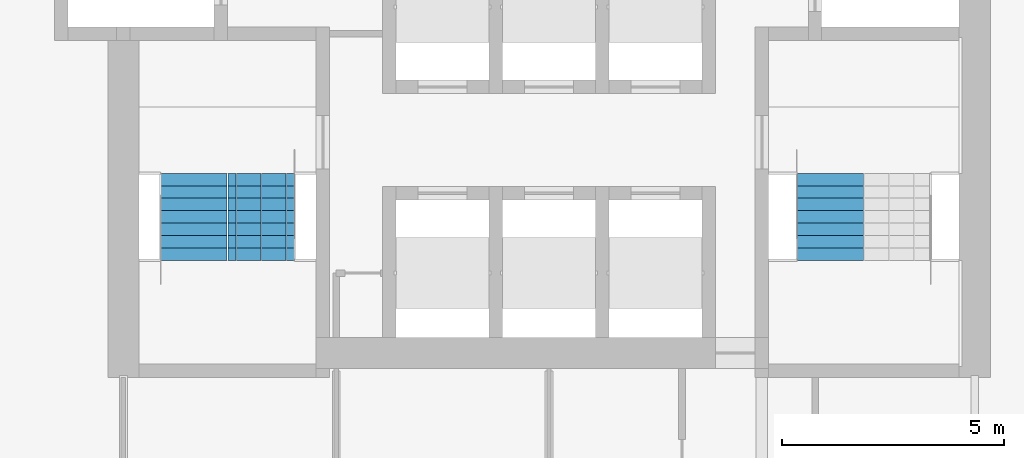
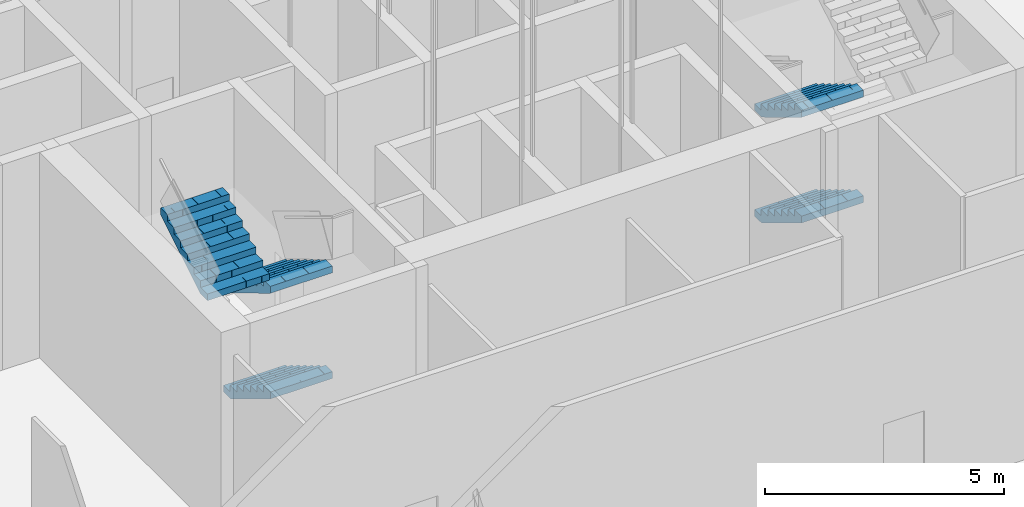
# One storey, part 12 of 42: 5 stair flights, 2 elements without a shape of their own.
"""IFC4 building model written with IfcOpenShell, lengths in metres."""

from ifc_helpers import new_model, si_unit, direction, frame, origin, place, context, subcontext, project, spatial, polyline, outline, extrude, material, type_object, element, aggregate, save


model = new_model("IFC4")

# Units and contexts
model_context = context("Model", 3, precision=1e-05, world=origin(), true_north=direction((0.0, 1.0)))
body_context = subcontext(model_context, "Body", "Model", "MODEL_VIEW")
ifc_project = project(units=[si_unit("LENGTHUNIT", "METRE"), si_unit("AREAUNIT", "SQUARE_METRE"), si_unit("VOLUMEUNIT", "CUBIC_METRE"), si_unit("PLANEANGLEUNIT", "RADIAN"), si_unit("MASSUNIT", "GRAM", prefix="KILO")], contexts=[model_context])

# Site, building, storey
site_placement = place(None, origin())
site = spatial("IfcSite", under=ifc_project, at=site_placement, CompositionType="ELEMENT")
building_placement = place(site_placement, origin())
building = spatial("IfcBuilding", under=site, at=building_placement, Name="Kolab Exchange Tower", CompositionType="ELEMENT")
storey_placement = place(building_placement, frame((0.0, 0.0, 133.39990234375)))
storey = spatial("IfcBuildingStorey", under=building, at=storey_placement, Name="L26", CompositionType="ELEMENT", Elevation=133.39990234375)

# Stair, stair flights
ifc_material = material(Name="Concrete C50/60", Category="concrete")
stair_type_1 = type_object("IfcStairType", Name="STAIR ST3 RISER 168.8", PredefinedType="DOUBLE_RETURN_STAIR", material=ifc_material)
stair_1_placement = place(storey_placement, origin())
stair_1 = element("IfcStair", 1, at=stair_1_placement, inside=storey, type_object=stair_type_1, Name="Stair 3", PredefinedType="DOUBLE_RETURN_STAIR")
stair_flight_type = type_object("IfcStairFlightType", Name="STAIR FLIGHT 1500 RISER 168.8", PredefinedType="STRAIGHT", material=ifc_material)
stair_flight_1_placement = place(storey_placement, frame((-6.489990234375, -5.550048828125, 0.0), z_axis=(0.0, 0.0, 1.0), x_axis=(0.0, -1.0, 0.0)))
stair_flight_1 = element("IfcStairFlight", 2, at=stair_flight_1_placement, type_object=stair_flight_type, Name="ST3 flight 1", NumberOfRisers=8, NumberOfTreads=7, PredefinedType="STRAIGHT", RiserHeight=0.16875, TreadLength=0.28, context=body_context, shape_type="SweptSolid", body=[
    extrude(outline(polyline([(0.0, 0.0), (0.0, 0.168701171875), (0.280029296875, 0.168701171875), (0.280029296875, 0.33740234375), (0.56005859375, 0.33740234375), (0.56005859375, 0.50634765625), (0.840087890625, 0.50634765625), (0.840087890625, 0.675048828125), (1.1201171875, 0.675048828125), (1.1201171875, 0.84375), (1.39990234375, 0.84375), (1.39990234375, 1.012451171875), (1.679931640625, 1.012451171875), (1.679931640625, 1.18115234375), (1.9599609375, 1.18115234375), (1.9599609375, 1.35009765625), (1.9599609375, 1.00634765625), (0.29052734375, 0.0), (0.0, 0.0)])), frame((0.0, 0.75, 0.0), z_axis=(0.0, -1.0, 0.0), x_axis=(1.0, 0.0, 0.0)), (0.0, 0.0, 1.0), 0.185791015625),
    extrude(outline(polyline([(0.0, 0.0), (0.0, 0.168701171875), (0.280029296875, 0.168701171875), (0.280029296875, 0.33740234375), (0.56005859375, 0.33740234375), (0.56005859375, 0.50634765625), (0.840087890625, 0.50634765625), (0.840087890625, 0.675048828125), (1.1201171875, 0.675048828125), (1.1201171875, 0.84375), (1.39990234375, 0.84375), (1.39990234375, 1.012451171875), (1.679931640625, 1.012451171875), (1.679931640625, 1.18115234375), (1.9599609375, 1.18115234375), (1.9599609375, 1.35009765625), (1.9599609375, 1.00634765625), (0.29052734375, 0.0), (0.0, 0.0)])), frame((0.0, 0.562255859375, 0.0), z_axis=(0.0, -1.0, 0.0), x_axis=(1.0, 0.0, 0.0)), (0.0, 0.0, 1.0), 0.185791015625),
    extrude(outline(polyline([(0.0, 0.0), (0.0, 0.168701171875), (0.280029296875, 0.168701171875), (0.280029296875, 0.33740234375), (0.56005859375, 0.33740234375), (0.56005859375, 0.50634765625), (0.840087890625, 0.50634765625), (0.840087890625, 0.675048828125), (1.1201171875, 0.675048828125), (1.1201171875, 0.84375), (1.39990234375, 0.84375), (1.39990234375, 1.012451171875), (1.679931640625, 1.012451171875), (1.679931640625, 1.18115234375), (1.9599609375, 1.18115234375), (1.9599609375, 1.35009765625), (1.9599609375, 1.00634765625), (0.29052734375, 0.0), (0.0, 0.0)])), frame((0.0, 0.37451171875, 0.0), z_axis=(0.0, -1.0, 0.0), x_axis=(1.0, 0.0, 0.0)), (0.0, 0.0, 1.0), 0.185791015625),
    extrude(outline(polyline([(0.0, 0.0), (0.0, 0.168701171875), (0.280029296875, 0.168701171875), (0.280029296875, 0.33740234375), (0.56005859375, 0.33740234375), (0.56005859375, 0.50634765625), (0.840087890625, 0.50634765625), (0.840087890625, 0.675048828125), (1.1201171875, 0.675048828125), (1.1201171875, 0.84375), (1.39990234375, 0.84375), (1.39990234375, 1.012451171875), (1.679931640625, 1.012451171875), (1.679931640625, 1.18115234375), (1.9599609375, 1.18115234375), (1.9599609375, 1.35009765625), (1.9599609375, 1.00634765625), (0.29052734375, 0.0), (0.0, 0.0)])), frame((0.0, 0.186767578125, 0.0), z_axis=(0.0, -1.0, 0.0), x_axis=(1.0, 0.0, 0.0)), (0.0, 0.0, 1.0), 0.185791015625),
    extrude(outline(polyline([(0.0, 0.0), (0.0, 0.168701171875), (0.280029296875, 0.168701171875), (0.280029296875, 0.33740234375), (0.56005859375, 0.33740234375), (0.56005859375, 0.50634765625), (0.840087890625, 0.50634765625), (0.840087890625, 0.675048828125), (1.1201171875, 0.675048828125), (1.1201171875, 0.84375), (1.39990234375, 0.84375), (1.39990234375, 1.012451171875), (1.679931640625, 1.012451171875), (1.679931640625, 1.18115234375), (1.9599609375, 1.18115234375), (1.9599609375, 1.35009765625), (1.9599609375, 1.00634765625), (0.29052734375, 0.0), (0.0, 0.0)])), frame((0.0, -0.0009765625, 0.0), z_axis=(0.0, -1.0, 0.0), x_axis=(1.0, 0.0, 0.0)), (0.0, 0.0, 1.0), 0.185791015625),
    extrude(outline(polyline([(0.0, 0.0), (0.0, 0.168701171875), (0.280029296875, 0.168701171875), (0.280029296875, 0.33740234375), (0.56005859375, 0.33740234375), (0.56005859375, 0.50634765625), (0.840087890625, 0.50634765625), (0.840087890625, 0.675048828125), (1.1201171875, 0.675048828125), (1.1201171875, 0.84375), (1.39990234375, 0.84375), (1.39990234375, 1.012451171875), (1.679931640625, 1.012451171875), (1.679931640625, 1.18115234375), (1.9599609375, 1.18115234375), (1.9599609375, 1.35009765625), (1.9599609375, 1.00634765625), (0.29052734375, 0.0), (0.0, 0.0)])), frame((0.0, -0.188720703125, 0.0), z_axis=(0.0, -1.0, 0.0), x_axis=(1.0, 0.0, 0.0)), (0.0, 0.0, 1.0), 0.185791015625),
    extrude(outline(polyline([(0.0, 0.0), (0.0, 0.168701171875), (0.280029296875, 0.168701171875), (0.280029296875, 0.33740234375), (0.56005859375, 0.33740234375), (0.56005859375, 0.50634765625), (0.840087890625, 0.50634765625), (0.840087890625, 0.675048828125), (1.1201171875, 0.675048828125), (1.1201171875, 0.84375), (1.39990234375, 0.84375), (1.39990234375, 1.012451171875), (1.679931640625, 1.012451171875), (1.679931640625, 1.18115234375), (1.9599609375, 1.18115234375), (1.9599609375, 1.35009765625), (1.9599609375, 1.00634765625), (0.29052734375, 0.0), (0.0, 0.0)])), frame((0.0, -0.37646484375, 0.0), z_axis=(0.0, -1.0, 0.0), x_axis=(1.0, 0.0, 0.0)), (0.0, 0.0, 1.0), 0.185791015625),
    extrude(outline(polyline([(0.0, 0.0), (0.0, 0.168701171875), (0.280029296875, 0.168701171875), (0.280029296875, 0.33740234375), (0.56005859375, 0.33740234375), (0.56005859375, 0.50634765625), (0.840087890625, 0.50634765625), (0.840087890625, 0.675048828125), (1.1201171875, 0.675048828125), (1.1201171875, 0.84375), (1.39990234375, 0.84375), (1.39990234375, 1.012451171875), (1.679931640625, 1.012451171875), (1.679931640625, 1.18115234375), (1.9599609375, 1.18115234375), (1.9599609375, 1.35009765625), (1.9599609375, 1.00634765625), (0.29052734375, 0.0), (0.0, 0.0)])), frame((0.0, -0.564208984375, 0.0), z_axis=(0.0, -1.0, 0.0), x_axis=(1.0, 0.0, 0.0)), (0.0, 0.0, 1.0), 0.185791015625),
])
stair_flight_2_placement = place(storey_placement, frame((-6.489990234375, -5.550048828125, 2.7001953125), z_axis=(0.0, 0.0, 1.0), x_axis=(0.0, -1.0, 0.0)))
stair_flight_2 = element("IfcStairFlight", 3, at=stair_flight_2_placement, type_object=stair_flight_type, Name="ST3 flight 3", NumberOfRisers=8, NumberOfTreads=7, PredefinedType="STRAIGHT", RiserHeight=0.16875, TreadLength=0.28, context=body_context, shape_type="SweptSolid", body=[
    extrude(outline(polyline([(0.0, 0.0), (0.0, 0.168701171875), (0.280029296875, 0.168701171875), (0.280029296875, 0.33740234375), (0.56005859375, 0.33740234375), (0.56005859375, 0.50634765625), (0.840087890625, 0.50634765625), (0.840087890625, 0.675048828125), (1.1201171875, 0.675048828125), (1.1201171875, 0.84375), (1.39990234375, 0.84375), (1.39990234375, 1.012451171875), (1.679931640625, 1.012451171875), (1.679931640625, 1.18115234375), (1.9599609375, 1.18115234375), (1.9599609375, 1.35009765625), (1.9599609375, 1.00634765625), (0.29052734375, 0.0), (0.0, 0.0)])), frame((0.0, 0.75, 0.0), z_axis=(0.0, -1.0, 0.0), x_axis=(1.0, 0.0, 0.0)), (0.0, 0.0, 1.0), 0.185791015625),
    extrude(outline(polyline([(0.0, 0.0), (0.0, 0.168701171875), (0.280029296875, 0.168701171875), (0.280029296875, 0.33740234375), (0.56005859375, 0.33740234375), (0.56005859375, 0.50634765625), (0.840087890625, 0.50634765625), (0.840087890625, 0.675048828125), (1.1201171875, 0.675048828125), (1.1201171875, 0.84375), (1.39990234375, 0.84375), (1.39990234375, 1.012451171875), (1.679931640625, 1.012451171875), (1.679931640625, 1.18115234375), (1.9599609375, 1.18115234375), (1.9599609375, 1.35009765625), (1.9599609375, 1.00634765625), (0.29052734375, 0.0), (0.0, 0.0)])), frame((0.0, 0.562255859375, 0.0), z_axis=(0.0, -1.0, 0.0), x_axis=(1.0, 0.0, 0.0)), (0.0, 0.0, 1.0), 0.185791015625),
    extrude(outline(polyline([(0.0, 0.0), (0.0, 0.168701171875), (0.280029296875, 0.168701171875), (0.280029296875, 0.33740234375), (0.56005859375, 0.33740234375), (0.56005859375, 0.50634765625), (0.840087890625, 0.50634765625), (0.840087890625, 0.675048828125), (1.1201171875, 0.675048828125), (1.1201171875, 0.84375), (1.39990234375, 0.84375), (1.39990234375, 1.012451171875), (1.679931640625, 1.012451171875), (1.679931640625, 1.18115234375), (1.9599609375, 1.18115234375), (1.9599609375, 1.35009765625), (1.9599609375, 1.00634765625), (0.29052734375, 0.0), (0.0, 0.0)])), frame((0.0, 0.37451171875, 0.0), z_axis=(0.0, -1.0, 0.0), x_axis=(1.0, 0.0, 0.0)), (0.0, 0.0, 1.0), 0.185791015625),
    extrude(outline(polyline([(0.0, 0.0), (0.0, 0.168701171875), (0.280029296875, 0.168701171875), (0.280029296875, 0.33740234375), (0.56005859375, 0.33740234375), (0.56005859375, 0.50634765625), (0.840087890625, 0.50634765625), (0.840087890625, 0.675048828125), (1.1201171875, 0.675048828125), (1.1201171875, 0.84375), (1.39990234375, 0.84375), (1.39990234375, 1.012451171875), (1.679931640625, 1.012451171875), (1.679931640625, 1.18115234375), (1.9599609375, 1.18115234375), (1.9599609375, 1.35009765625), (1.9599609375, 1.00634765625), (0.29052734375, 0.0), (0.0, 0.0)])), frame((0.0, 0.186767578125, 0.0), z_axis=(0.0, -1.0, 0.0), x_axis=(1.0, 0.0, 0.0)), (0.0, 0.0, 1.0), 0.185791015625),
    extrude(outline(polyline([(0.0, 0.0), (0.0, 0.168701171875), (0.280029296875, 0.168701171875), (0.280029296875, 0.33740234375), (0.56005859375, 0.33740234375), (0.56005859375, 0.50634765625), (0.840087890625, 0.50634765625), (0.840087890625, 0.675048828125), (1.1201171875, 0.675048828125), (1.1201171875, 0.84375), (1.39990234375, 0.84375), (1.39990234375, 1.012451171875), (1.679931640625, 1.012451171875), (1.679931640625, 1.18115234375), (1.9599609375, 1.18115234375), (1.9599609375, 1.35009765625), (1.9599609375, 1.00634765625), (0.29052734375, 0.0), (0.0, 0.0)])), frame((0.0, -0.0009765625, 0.0), z_axis=(0.0, -1.0, 0.0), x_axis=(1.0, 0.0, 0.0)), (0.0, 0.0, 1.0), 0.185791015625),
    extrude(outline(polyline([(0.0, 0.0), (0.0, 0.168701171875), (0.280029296875, 0.168701171875), (0.280029296875, 0.33740234375), (0.56005859375, 0.33740234375), (0.56005859375, 0.50634765625), (0.840087890625, 0.50634765625), (0.840087890625, 0.675048828125), (1.1201171875, 0.675048828125), (1.1201171875, 0.84375), (1.39990234375, 0.84375), (1.39990234375, 1.012451171875), (1.679931640625, 1.012451171875), (1.679931640625, 1.18115234375), (1.9599609375, 1.18115234375), (1.9599609375, 1.35009765625), (1.9599609375, 1.00634765625), (0.29052734375, 0.0), (0.0, 0.0)])), frame((0.0, -0.188720703125, 0.0), z_axis=(0.0, -1.0, 0.0), x_axis=(1.0, 0.0, 0.0)), (0.0, 0.0, 1.0), 0.185791015625),
    extrude(outline(polyline([(0.0, 0.0), (0.0, 0.168701171875), (0.280029296875, 0.168701171875), (0.280029296875, 0.33740234375), (0.56005859375, 0.33740234375), (0.56005859375, 0.50634765625), (0.840087890625, 0.50634765625), (0.840087890625, 0.675048828125), (1.1201171875, 0.675048828125), (1.1201171875, 0.84375), (1.39990234375, 0.84375), (1.39990234375, 1.012451171875), (1.679931640625, 1.012451171875), (1.679931640625, 1.18115234375), (1.9599609375, 1.18115234375), (1.9599609375, 1.35009765625), (1.9599609375, 1.00634765625), (0.29052734375, 0.0), (0.0, 0.0)])), frame((0.0, -0.37646484375, 0.0), z_axis=(0.0, -1.0, 0.0), x_axis=(1.0, 0.0, 0.0)), (0.0, 0.0, 1.0), 0.185791015625),
    extrude(outline(polyline([(0.0, 0.0), (0.0, 0.168701171875), (0.280029296875, 0.168701171875), (0.280029296875, 0.33740234375), (0.56005859375, 0.33740234375), (0.56005859375, 0.50634765625), (0.840087890625, 0.50634765625), (0.840087890625, 0.675048828125), (1.1201171875, 0.675048828125), (1.1201171875, 0.84375), (1.39990234375, 0.84375), (1.39990234375, 1.012451171875), (1.679931640625, 1.012451171875), (1.679931640625, 1.18115234375), (1.9599609375, 1.18115234375), (1.9599609375, 1.35009765625), (1.9599609375, 1.00634765625), (0.29052734375, 0.0), (0.0, 0.0)])), frame((0.0, -0.564208984375, 0.0), z_axis=(0.0, -1.0, 0.0), x_axis=(1.0, 0.0, 0.0)), (0.0, 0.0, 1.0), 0.185791015625),
])
stair_flight_3_placement = place(storey_placement, frame((-8.010009765625, -7.510009765625, 4.050048828125), z_axis=(0.0, 0.0, 1.0), x_axis=(0.0, 1.0, 0.0)))
stair_flight_3 = element("IfcStairFlight", 4, at=stair_flight_3_placement, type_object=stair_flight_type, Name="ST3 flight 4", NumberOfRisers=8, NumberOfTreads=7, PredefinedType="STRAIGHT", RiserHeight=0.16875, TreadLength=0.28, context=body_context, shape_type="SweptSolid", body=[
    extrude(outline(polyline([(0.0, 0.0), (0.0, 0.168701171875), (0.280029296875, 0.168701171875), (0.280029296875, 0.33740234375), (0.56005859375, 0.33740234375), (0.56005859375, 0.50634765625), (0.840087890625, 0.50634765625), (0.840087890625, 0.675048828125), (1.1201171875, 0.675048828125), (1.1201171875, 0.84375), (1.39990234375, 0.84375), (1.39990234375, 1.012451171875), (1.679931640625, 1.012451171875), (1.679931640625, 1.18115234375), (1.9599609375, 1.18115234375), (1.9599609375, 1.35009765625), (1.9599609375, 1.00634765625), (0.29052734375, 0.0), (0.0, 0.0)])), frame((0.0, 0.75, 0.0), z_axis=(0.0, -1.0, 0.0), x_axis=(1.0, 0.0, 0.0)), (0.0, 0.0, 1.0), 0.185791015625),
    extrude(outline(polyline([(0.0, 0.0), (0.0, 0.168701171875), (0.280029296875, 0.168701171875), (0.280029296875, 0.33740234375), (0.56005859375, 0.33740234375), (0.56005859375, 0.50634765625), (0.840087890625, 0.50634765625), (0.840087890625, 0.675048828125), (1.1201171875, 0.675048828125), (1.1201171875, 0.84375), (1.39990234375, 0.84375), (1.39990234375, 1.012451171875), (1.679931640625, 1.012451171875), (1.679931640625, 1.18115234375), (1.9599609375, 1.18115234375), (1.9599609375, 1.35009765625), (1.9599609375, 1.00634765625), (0.29052734375, 0.0), (0.0, 0.0)])), frame((0.0, 0.562255859375, 0.0), z_axis=(0.0, -1.0, 0.0), x_axis=(1.0, 0.0, 0.0)), (0.0, 0.0, 1.0), 0.185791015625),
    extrude(outline(polyline([(0.0, 0.0), (0.0, 0.168701171875), (0.280029296875, 0.168701171875), (0.280029296875, 0.33740234375), (0.56005859375, 0.33740234375), (0.56005859375, 0.50634765625), (0.840087890625, 0.50634765625), (0.840087890625, 0.675048828125), (1.1201171875, 0.675048828125), (1.1201171875, 0.84375), (1.39990234375, 0.84375), (1.39990234375, 1.012451171875), (1.679931640625, 1.012451171875), (1.679931640625, 1.18115234375), (1.9599609375, 1.18115234375), (1.9599609375, 1.35009765625), (1.9599609375, 1.00634765625), (0.29052734375, 0.0), (0.0, 0.0)])), frame((0.0, 0.37451171875, 0.0), z_axis=(0.0, -1.0, 0.0), x_axis=(1.0, 0.0, 0.0)), (0.0, 0.0, 1.0), 0.185791015625),
    extrude(outline(polyline([(0.0, 0.0), (0.0, 0.168701171875), (0.280029296875, 0.168701171875), (0.280029296875, 0.33740234375), (0.56005859375, 0.33740234375), (0.56005859375, 0.50634765625), (0.840087890625, 0.50634765625), (0.840087890625, 0.675048828125), (1.1201171875, 0.675048828125), (1.1201171875, 0.84375), (1.39990234375, 0.84375), (1.39990234375, 1.012451171875), (1.679931640625, 1.012451171875), (1.679931640625, 1.18115234375), (1.9599609375, 1.18115234375), (1.9599609375, 1.35009765625), (1.9599609375, 1.00634765625), (0.29052734375, 0.0), (0.0, 0.0)])), frame((0.0, 0.186767578125, 0.0), z_axis=(0.0, -1.0, 0.0), x_axis=(1.0, 0.0, 0.0)), (0.0, 0.0, 1.0), 0.185791015625),
    extrude(outline(polyline([(0.0, 0.0), (0.0, 0.168701171875), (0.280029296875, 0.168701171875), (0.280029296875, 0.33740234375), (0.56005859375, 0.33740234375), (0.56005859375, 0.50634765625), (0.840087890625, 0.50634765625), (0.840087890625, 0.675048828125), (1.1201171875, 0.675048828125), (1.1201171875, 0.84375), (1.39990234375, 0.84375), (1.39990234375, 1.012451171875), (1.679931640625, 1.012451171875), (1.679931640625, 1.18115234375), (1.9599609375, 1.18115234375), (1.9599609375, 1.35009765625), (1.9599609375, 1.00634765625), (0.29052734375, 0.0), (0.0, 0.0)])), frame((0.0, -0.0009765625, 0.0), z_axis=(0.0, -1.0, 0.0), x_axis=(1.0, 0.0, 0.0)), (0.0, 0.0, 1.0), 0.185791015625),
    extrude(outline(polyline([(0.0, 0.0), (0.0, 0.168701171875), (0.280029296875, 0.168701171875), (0.280029296875, 0.33740234375), (0.56005859375, 0.33740234375), (0.56005859375, 0.50634765625), (0.840087890625, 0.50634765625), (0.840087890625, 0.675048828125), (1.1201171875, 0.675048828125), (1.1201171875, 0.84375), (1.39990234375, 0.84375), (1.39990234375, 1.012451171875), (1.679931640625, 1.012451171875), (1.679931640625, 1.18115234375), (1.9599609375, 1.18115234375), (1.9599609375, 1.35009765625), (1.9599609375, 1.00634765625), (0.29052734375, 0.0), (0.0, 0.0)])), frame((0.0, -0.188720703125, 0.0), z_axis=(0.0, -1.0, 0.0), x_axis=(1.0, 0.0, 0.0)), (0.0, 0.0, 1.0), 0.185791015625),
    extrude(outline(polyline([(0.0, 0.0), (0.0, 0.168701171875), (0.280029296875, 0.168701171875), (0.280029296875, 0.33740234375), (0.56005859375, 0.33740234375), (0.56005859375, 0.50634765625), (0.840087890625, 0.50634765625), (0.840087890625, 0.675048828125), (1.1201171875, 0.675048828125), (1.1201171875, 0.84375), (1.39990234375, 0.84375), (1.39990234375, 1.012451171875), (1.679931640625, 1.012451171875), (1.679931640625, 1.18115234375), (1.9599609375, 1.18115234375), (1.9599609375, 1.35009765625), (1.9599609375, 1.00634765625), (0.29052734375, 0.0), (0.0, 0.0)])), frame((0.0, -0.37646484375, 0.0), z_axis=(0.0, -1.0, 0.0), x_axis=(1.0, 0.0, 0.0)), (0.0, 0.0, 1.0), 0.185791015625),
    extrude(outline(polyline([(0.0, 0.0), (0.0, 0.168701171875), (0.280029296875, 0.168701171875), (0.280029296875, 0.33740234375), (0.56005859375, 0.33740234375), (0.56005859375, 0.50634765625), (0.840087890625, 0.50634765625), (0.840087890625, 0.675048828125), (1.1201171875, 0.675048828125), (1.1201171875, 0.84375), (1.39990234375, 0.84375), (1.39990234375, 1.012451171875), (1.679931640625, 1.012451171875), (1.679931640625, 1.18115234375), (1.9599609375, 1.18115234375), (1.9599609375, 1.35009765625), (1.9599609375, 1.00634765625), (0.29052734375, 0.0), (0.0, 0.0)])), frame((0.0, -0.564208984375, 0.0), z_axis=(0.0, -1.0, 0.0), x_axis=(1.0, 0.0, 0.0)), (0.0, 0.0, 1.0), 0.185791015625),
])
aggregate(stair_1, [stair_flight_1, stair_flight_2, stair_flight_3])

stair_type_2 = type_object("IfcStairType", Name="STAIR ST2 RISER 168.8", PredefinedType="DOUBLE_RETURN_STAIR", material=ifc_material)
stair_2_placement = place(storey_placement, origin())
stair_2 = element("IfcStair", 5, at=stair_2_placement, inside=storey, type_object=stair_type_2, Name="Stair 2", PredefinedType="DOUBLE_RETURN_STAIR")
stair_flight_4_placement = place(storey_placement, frame((6.340087890625, -5.550048828125, 0.0), z_axis=(0.0, 0.0, 1.0), x_axis=(0.0, -1.0, 0.0)))
stair_flight_4 = element("IfcStairFlight", 6, at=stair_flight_4_placement, type_object=stair_flight_type, Name="ST2 flight 1", NumberOfRisers=8, NumberOfTreads=7, PredefinedType="STRAIGHT", RiserHeight=0.16875, TreadLength=0.28, context=body_context, shape_type="SweptSolid", body=[
    extrude(outline(polyline([(0.0, 0.0), (0.0, 0.168701171875), (0.280029296875, 0.168701171875), (0.280029296875, 0.33740234375), (0.56005859375, 0.33740234375), (0.56005859375, 0.50634765625), (0.840087890625, 0.50634765625), (0.840087890625, 0.675048828125), (1.1201171875, 0.675048828125), (1.1201171875, 0.84375), (1.39990234375, 0.84375), (1.39990234375, 1.012451171875), (1.679931640625, 1.012451171875), (1.679931640625, 1.18115234375), (1.9599609375, 1.18115234375), (1.9599609375, 1.35009765625), (1.9599609375, 1.00634765625), (0.29052734375, 0.0), (0.0, 0.0)])), frame((0.0, 0.75, 0.0), z_axis=(0.0, -1.0, 0.0), x_axis=(1.0, 0.0, 0.0)), (0.0, 0.0, 1.0), 0.185791015625),
    extrude(outline(polyline([(0.0, 0.0), (0.0, 0.168701171875), (0.280029296875, 0.168701171875), (0.280029296875, 0.33740234375), (0.56005859375, 0.33740234375), (0.56005859375, 0.50634765625), (0.840087890625, 0.50634765625), (0.840087890625, 0.675048828125), (1.1201171875, 0.675048828125), (1.1201171875, 0.84375), (1.39990234375, 0.84375), (1.39990234375, 1.012451171875), (1.679931640625, 1.012451171875), (1.679931640625, 1.18115234375), (1.9599609375, 1.18115234375), (1.9599609375, 1.35009765625), (1.9599609375, 1.00634765625), (0.29052734375, 0.0), (0.0, 0.0)])), frame((0.0, 0.562255859375, 0.0), z_axis=(0.0, -1.0, 0.0), x_axis=(1.0, 0.0, 0.0)), (0.0, 0.0, 1.0), 0.185791015625),
    extrude(outline(polyline([(0.0, 0.0), (0.0, 0.168701171875), (0.280029296875, 0.168701171875), (0.280029296875, 0.33740234375), (0.56005859375, 0.33740234375), (0.56005859375, 0.50634765625), (0.840087890625, 0.50634765625), (0.840087890625, 0.675048828125), (1.1201171875, 0.675048828125), (1.1201171875, 0.84375), (1.39990234375, 0.84375), (1.39990234375, 1.012451171875), (1.679931640625, 1.012451171875), (1.679931640625, 1.18115234375), (1.9599609375, 1.18115234375), (1.9599609375, 1.35009765625), (1.9599609375, 1.00634765625), (0.29052734375, 0.0), (0.0, 0.0)])), frame((0.0, 0.37451171875, 0.0), z_axis=(0.0, -1.0, 0.0), x_axis=(1.0, 0.0, 0.0)), (0.0, 0.0, 1.0), 0.185791015625),
    extrude(outline(polyline([(0.0, 0.0), (0.0, 0.168701171875), (0.280029296875, 0.168701171875), (0.280029296875, 0.33740234375), (0.56005859375, 0.33740234375), (0.56005859375, 0.50634765625), (0.840087890625, 0.50634765625), (0.840087890625, 0.675048828125), (1.1201171875, 0.675048828125), (1.1201171875, 0.84375), (1.39990234375, 0.84375), (1.39990234375, 1.012451171875), (1.679931640625, 1.012451171875), (1.679931640625, 1.18115234375), (1.9599609375, 1.18115234375), (1.9599609375, 1.35009765625), (1.9599609375, 1.00634765625), (0.29052734375, 0.0), (0.0, 0.0)])), frame((0.0, 0.186767578125, 0.0), z_axis=(0.0, -1.0, 0.0), x_axis=(1.0, 0.0, 0.0)), (0.0, 0.0, 1.0), 0.185791015625),
    extrude(outline(polyline([(0.0, 0.0), (0.0, 0.168701171875), (0.280029296875, 0.168701171875), (0.280029296875, 0.33740234375), (0.56005859375, 0.33740234375), (0.56005859375, 0.50634765625), (0.840087890625, 0.50634765625), (0.840087890625, 0.675048828125), (1.1201171875, 0.675048828125), (1.1201171875, 0.84375), (1.39990234375, 0.84375), (1.39990234375, 1.012451171875), (1.679931640625, 1.012451171875), (1.679931640625, 1.18115234375), (1.9599609375, 1.18115234375), (1.9599609375, 1.35009765625), (1.9599609375, 1.00634765625), (0.29052734375, 0.0), (0.0, 0.0)])), frame((0.0, -0.0009765625, 0.0), z_axis=(0.0, -1.0, 0.0), x_axis=(1.0, 0.0, 0.0)), (0.0, 0.0, 1.0), 0.185791015625),
    extrude(outline(polyline([(0.0, 0.0), (0.0, 0.168701171875), (0.280029296875, 0.168701171875), (0.280029296875, 0.33740234375), (0.56005859375, 0.33740234375), (0.56005859375, 0.50634765625), (0.840087890625, 0.50634765625), (0.840087890625, 0.675048828125), (1.1201171875, 0.675048828125), (1.1201171875, 0.84375), (1.39990234375, 0.84375), (1.39990234375, 1.012451171875), (1.679931640625, 1.012451171875), (1.679931640625, 1.18115234375), (1.9599609375, 1.18115234375), (1.9599609375, 1.35009765625), (1.9599609375, 1.00634765625), (0.29052734375, 0.0), (0.0, 0.0)])), frame((0.0, -0.188720703125, 0.0), z_axis=(0.0, -1.0, 0.0), x_axis=(1.0, 0.0, 0.0)), (0.0, 0.0, 1.0), 0.185791015625),
    extrude(outline(polyline([(0.0, 0.0), (0.0, 0.168701171875), (0.280029296875, 0.168701171875), (0.280029296875, 0.33740234375), (0.56005859375, 0.33740234375), (0.56005859375, 0.50634765625), (0.840087890625, 0.50634765625), (0.840087890625, 0.675048828125), (1.1201171875, 0.675048828125), (1.1201171875, 0.84375), (1.39990234375, 0.84375), (1.39990234375, 1.012451171875), (1.679931640625, 1.012451171875), (1.679931640625, 1.18115234375), (1.9599609375, 1.18115234375), (1.9599609375, 1.35009765625), (1.9599609375, 1.00634765625), (0.29052734375, 0.0), (0.0, 0.0)])), frame((0.0, -0.37646484375, 0.0), z_axis=(0.0, -1.0, 0.0), x_axis=(1.0, 0.0, 0.0)), (0.0, 0.0, 1.0), 0.185791015625),
    extrude(outline(polyline([(0.0, 0.0), (0.0, 0.168701171875), (0.280029296875, 0.168701171875), (0.280029296875, 0.33740234375), (0.56005859375, 0.33740234375), (0.56005859375, 0.50634765625), (0.840087890625, 0.50634765625), (0.840087890625, 0.675048828125), (1.1201171875, 0.675048828125), (1.1201171875, 0.84375), (1.39990234375, 0.84375), (1.39990234375, 1.012451171875), (1.679931640625, 1.012451171875), (1.679931640625, 1.18115234375), (1.9599609375, 1.18115234375), (1.9599609375, 1.35009765625), (1.9599609375, 1.00634765625), (0.29052734375, 0.0), (0.0, 0.0)])), frame((0.0, -0.564208984375, 0.0), z_axis=(0.0, -1.0, 0.0), x_axis=(1.0, 0.0, 0.0)), (0.0, 0.0, 1.0), 0.185791015625),
])
stair_flight_5_placement = place(storey_placement, frame((6.340087890625, -5.550048828125, 2.7001953125), z_axis=(0.0, 0.0, 1.0), x_axis=(0.0, -1.0, 0.0)))
stair_flight_5 = element("IfcStairFlight", 7, at=stair_flight_5_placement, type_object=stair_flight_type, Name="ST2 flight 3", NumberOfRisers=8, NumberOfTreads=7, PredefinedType="STRAIGHT", RiserHeight=0.16875, TreadLength=0.28, context=body_context, shape_type="SweptSolid", body=[
    extrude(outline(polyline([(0.0, 0.0), (0.0, 0.168701171875), (0.280029296875, 0.168701171875), (0.280029296875, 0.33740234375), (0.56005859375, 0.33740234375), (0.56005859375, 0.50634765625), (0.840087890625, 0.50634765625), (0.840087890625, 0.675048828125), (1.1201171875, 0.675048828125), (1.1201171875, 0.84375), (1.39990234375, 0.84375), (1.39990234375, 1.012451171875), (1.679931640625, 1.012451171875), (1.679931640625, 1.18115234375), (1.9599609375, 1.18115234375), (1.9599609375, 1.35009765625), (1.9599609375, 1.00634765625), (0.29052734375, 0.0), (0.0, 0.0)])), frame((0.0, 0.75, 0.0), z_axis=(0.0, -1.0, 0.0), x_axis=(1.0, 0.0, 0.0)), (0.0, 0.0, 1.0), 0.185791015625),
    extrude(outline(polyline([(0.0, 0.0), (0.0, 0.168701171875), (0.280029296875, 0.168701171875), (0.280029296875, 0.33740234375), (0.56005859375, 0.33740234375), (0.56005859375, 0.50634765625), (0.840087890625, 0.50634765625), (0.840087890625, 0.675048828125), (1.1201171875, 0.675048828125), (1.1201171875, 0.84375), (1.39990234375, 0.84375), (1.39990234375, 1.012451171875), (1.679931640625, 1.012451171875), (1.679931640625, 1.18115234375), (1.9599609375, 1.18115234375), (1.9599609375, 1.35009765625), (1.9599609375, 1.00634765625), (0.29052734375, 0.0), (0.0, 0.0)])), frame((0.0, 0.562255859375, 0.0), z_axis=(0.0, -1.0, 0.0), x_axis=(1.0, 0.0, 0.0)), (0.0, 0.0, 1.0), 0.185791015625),
    extrude(outline(polyline([(0.0, 0.0), (0.0, 0.168701171875), (0.280029296875, 0.168701171875), (0.280029296875, 0.33740234375), (0.56005859375, 0.33740234375), (0.56005859375, 0.50634765625), (0.840087890625, 0.50634765625), (0.840087890625, 0.675048828125), (1.1201171875, 0.675048828125), (1.1201171875, 0.84375), (1.39990234375, 0.84375), (1.39990234375, 1.012451171875), (1.679931640625, 1.012451171875), (1.679931640625, 1.18115234375), (1.9599609375, 1.18115234375), (1.9599609375, 1.35009765625), (1.9599609375, 1.00634765625), (0.29052734375, 0.0), (0.0, 0.0)])), frame((0.0, 0.37451171875, 0.0), z_axis=(0.0, -1.0, 0.0), x_axis=(1.0, 0.0, 0.0)), (0.0, 0.0, 1.0), 0.185791015625),
    extrude(outline(polyline([(0.0, 0.0), (0.0, 0.168701171875), (0.280029296875, 0.168701171875), (0.280029296875, 0.33740234375), (0.56005859375, 0.33740234375), (0.56005859375, 0.50634765625), (0.840087890625, 0.50634765625), (0.840087890625, 0.675048828125), (1.1201171875, 0.675048828125), (1.1201171875, 0.84375), (1.39990234375, 0.84375), (1.39990234375, 1.012451171875), (1.679931640625, 1.012451171875), (1.679931640625, 1.18115234375), (1.9599609375, 1.18115234375), (1.9599609375, 1.35009765625), (1.9599609375, 1.00634765625), (0.29052734375, 0.0), (0.0, 0.0)])), frame((0.0, 0.186767578125, 0.0), z_axis=(0.0, -1.0, 0.0), x_axis=(1.0, 0.0, 0.0)), (0.0, 0.0, 1.0), 0.185791015625),
    extrude(outline(polyline([(0.0, 0.0), (0.0, 0.168701171875), (0.280029296875, 0.168701171875), (0.280029296875, 0.33740234375), (0.56005859375, 0.33740234375), (0.56005859375, 0.50634765625), (0.840087890625, 0.50634765625), (0.840087890625, 0.675048828125), (1.1201171875, 0.675048828125), (1.1201171875, 0.84375), (1.39990234375, 0.84375), (1.39990234375, 1.012451171875), (1.679931640625, 1.012451171875), (1.679931640625, 1.18115234375), (1.9599609375, 1.18115234375), (1.9599609375, 1.35009765625), (1.9599609375, 1.00634765625), (0.29052734375, 0.0), (0.0, 0.0)])), frame((0.0, -0.0009765625, 0.0), z_axis=(0.0, -1.0, 0.0), x_axis=(1.0, 0.0, 0.0)), (0.0, 0.0, 1.0), 0.185791015625),
    extrude(outline(polyline([(0.0, 0.0), (0.0, 0.168701171875), (0.280029296875, 0.168701171875), (0.280029296875, 0.33740234375), (0.56005859375, 0.33740234375), (0.56005859375, 0.50634765625), (0.840087890625, 0.50634765625), (0.840087890625, 0.675048828125), (1.1201171875, 0.675048828125), (1.1201171875, 0.84375), (1.39990234375, 0.84375), (1.39990234375, 1.012451171875), (1.679931640625, 1.012451171875), (1.679931640625, 1.18115234375), (1.9599609375, 1.18115234375), (1.9599609375, 1.35009765625), (1.9599609375, 1.00634765625), (0.29052734375, 0.0), (0.0, 0.0)])), frame((0.0, -0.188720703125, 0.0), z_axis=(0.0, -1.0, 0.0), x_axis=(1.0, 0.0, 0.0)), (0.0, 0.0, 1.0), 0.185791015625),
    extrude(outline(polyline([(0.0, 0.0), (0.0, 0.168701171875), (0.280029296875, 0.168701171875), (0.280029296875, 0.33740234375), (0.56005859375, 0.33740234375), (0.56005859375, 0.50634765625), (0.840087890625, 0.50634765625), (0.840087890625, 0.675048828125), (1.1201171875, 0.675048828125), (1.1201171875, 0.84375), (1.39990234375, 0.84375), (1.39990234375, 1.012451171875), (1.679931640625, 1.012451171875), (1.679931640625, 1.18115234375), (1.9599609375, 1.18115234375), (1.9599609375, 1.35009765625), (1.9599609375, 1.00634765625), (0.29052734375, 0.0), (0.0, 0.0)])), frame((0.0, -0.37646484375, 0.0), z_axis=(0.0, -1.0, 0.0), x_axis=(1.0, 0.0, 0.0)), (0.0, 0.0, 1.0), 0.185791015625),
    extrude(outline(polyline([(0.0, 0.0), (0.0, 0.168701171875), (0.280029296875, 0.168701171875), (0.280029296875, 0.33740234375), (0.56005859375, 0.33740234375), (0.56005859375, 0.50634765625), (0.840087890625, 0.50634765625), (0.840087890625, 0.675048828125), (1.1201171875, 0.675048828125), (1.1201171875, 0.84375), (1.39990234375, 0.84375), (1.39990234375, 1.012451171875), (1.679931640625, 1.012451171875), (1.679931640625, 1.18115234375), (1.9599609375, 1.18115234375), (1.9599609375, 1.35009765625), (1.9599609375, 1.00634765625), (0.29052734375, 0.0), (0.0, 0.0)])), frame((0.0, -0.564208984375, 0.0), z_axis=(0.0, -1.0, 0.0), x_axis=(1.0, 0.0, 0.0)), (0.0, 0.0, 1.0), 0.185791015625),
])
aggregate(stair_2, [stair_flight_4, stair_flight_5])

save(model, "model.ifc")
